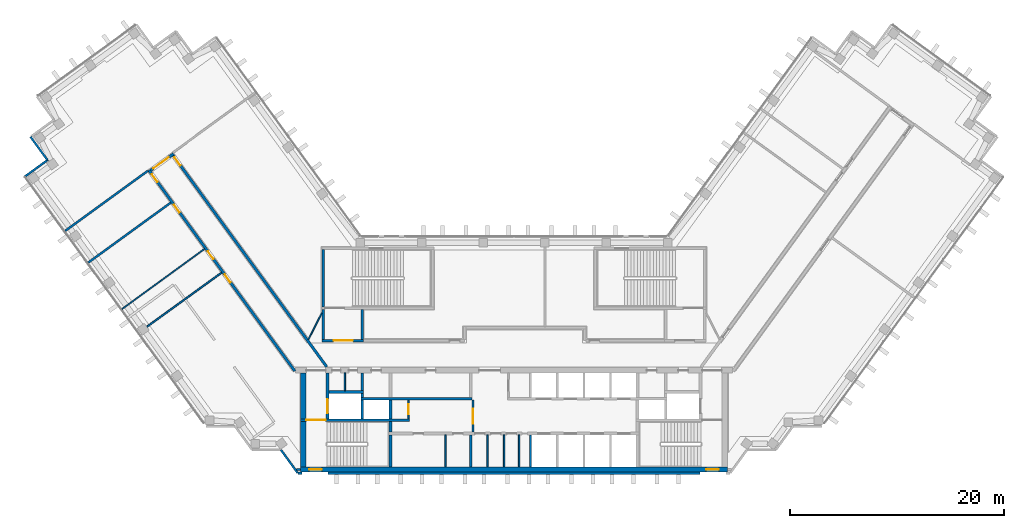
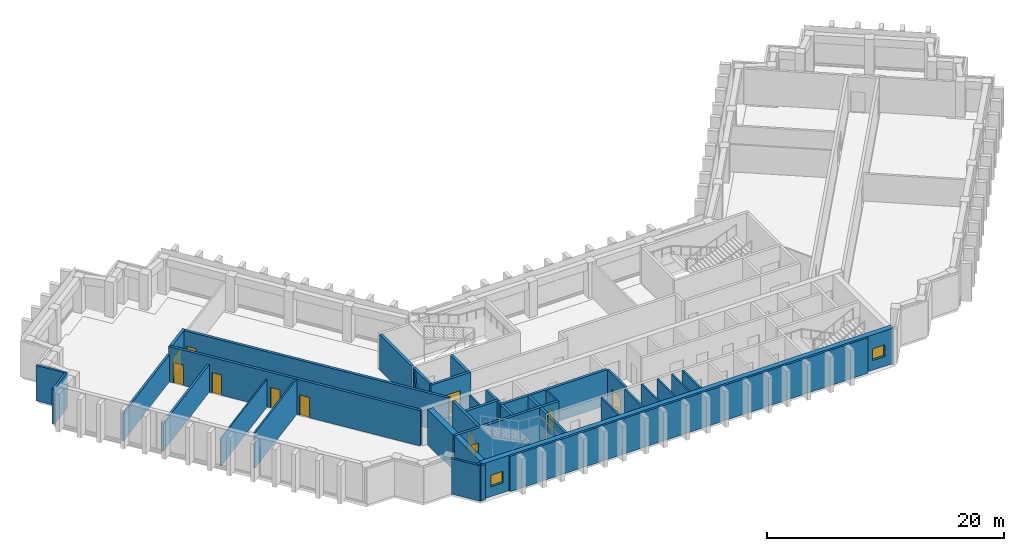
# One storey, part 4 of 10: 40 walls, 11 doors, 2 windows, 13 openings.
"""IFC4 building model written with IfcOpenShell, lengths in metres."""

from ifc_helpers import new_model, si_unit, direction, frame, frame_2d, origin, place, context, subcontext, project, spatial, rectangle, extrude, material, layer, layer_set, type_object, element, fill, save


model = new_model("IFC4")

# Units and contexts
model_context = context("Model", 3, precision=1e-05, world=origin(), true_north=direction((0.0, 1.0)))
body_context = subcontext(model_context, "Body", "Model", "MODEL_VIEW")
ifc_project = project(units=[si_unit("LENGTHUNIT", "METRE"), si_unit("AREAUNIT", "SQUARE_METRE"), si_unit("VOLUMEUNIT", "CUBIC_METRE"), si_unit("PLANEANGLEUNIT", "RADIAN"), si_unit("MASSUNIT", "GRAM", prefix="KILO")], contexts=[model_context])

# Site, building, storey
site_placement = place(None, origin())
site = spatial("IfcSite", under=ifc_project, at=site_placement, CompositionType="ELEMENT")
building_placement = place(site_placement, origin())
building = spatial("IfcBuilding", under=site, at=building_placement, Name="Quipu Civic Tower", CompositionType="ELEMENT")
storey_placement = place(building_placement, frame((0.0, 0.0, 168.0)))
storey = spatial("IfcBuildingStorey", under=building, at=storey_placement, Name="L39", CompositionType="ELEMENT", Elevation=168.0)

# Walls
ifc_material_1 = material(Name="Double gypsum plasterboard with mineral wool")
ifc_layer_1 = layer(ifc_material_1, 0.14990234375)
ifc_layer_set_1 = layer_set([ifc_layer_1], Name="Double gypsum plasterboard with mineral wool")
wall_type_1 = type_object("IfcWallType", Name="Acoustic partition 150 plasterboard", PredefinedType="PARTITIONING", material=ifc_layer_set_1)
wall_1_placement = place(storey_placement, frame((-27.38916015625, 7.702880859375, 0.0), z_axis=(0.0, 0.0, 1.0), x_axis=(-0.809060825193, -0.587724919617, 0.0)))
element("IfcWall", 1, at=wall_1_placement, inside=storey, type_object=wall_type_1, Name="Partition P10", PredefinedType="PARTITIONING", context=body_context, shape_type="SweptSolid", body=[
    extrude(rectangle(XDim=8.64453125, YDim=0.14990234375, at=frame_2d((4.322265625, 0.0))), origin(), (0.0, 0.0, 1.0), 3.64990234375),
])
ifc_material_2 = material(Name="Fired clay blockwork", Category="masonry")
ifc_layer_2 = layer(ifc_material_2, 0.199951171875)
ifc_layer_set_2 = layer_set([ifc_layer_2], Name="Fired clay blockwork")
wall_type_2 = type_object("IfcWallType", Name="Blockwork wall 200", PredefinedType="SOLIDWALL", material=ifc_layer_set_2)
wall_2_placement = place(storey_placement, frame((-42.035888671875, 11.615478515625, 0.0), z_axis=(0.0, 0.0, 1.0), x_axis=(0.808985331811, 0.587828829605, 0.0)))
element("IfcWall", 2, at=wall_2_placement, inside=storey, type_object=wall_type_2, Name="Partition P02", PredefinedType="SOLIDWALL", context=body_context, shape_type="SweptSolid", body=[
    extrude(rectangle(XDim=9.56982421875, YDim=0.199951171875, at=frame_2d((4.784912109375, 0.0))), origin(), (0.0, 0.0, 1.0), 2.85009765625),
])
wall_3_placement = place(storey_placement, frame((-32.150146484375, 14.255859375, 0.0), z_axis=(0.0, 0.0, 1.0), x_axis=(-0.809064299351, -0.587720137068, 0.0)))
element("IfcWall", 3, at=wall_3_placement, inside=storey, type_object=wall_type_2, Name="Partition P04", PredefinedType="SOLIDWALL", context=body_context, shape_type="SweptSolid", body=[
    extrude(rectangle(XDim=9.5498046875, YDim=0.199951171875, at=frame_2d((4.77490234375, 0.0))), origin(), (0.0, 0.0, 1.0), 2.85009765625),
])
ifc_material_3 = material(Name="Concrete C70/85", Category="concrete")
ifc_layer_3 = layer(ifc_material_3, 0.25)
ifc_layer_set_3 = layer_set([ifc_layer_3], Name="Concrete C70/85")
wall_type_3 = type_object("IfcWallType", Name="Core wall 250", PredefinedType="SHEAR", material=ifc_layer_set_3)
wall_4_placement = place(storey_placement, frame((-11.574951171875, -10.5, 0.0), z_axis=(0.0, 0.0, 1.0), x_axis=(0.0, 1.0, 0.0)))
element("IfcWall", 4, at=wall_4_placement, inside=storey, type_object=wall_type_3, Name="Core wall", PredefinedType="SHEAR", context=body_context, shape_type="SweptSolid", body=[
    extrude(rectangle(XDim=3.0, YDim=0.25, at=frame_2d((1.5, 0.0))), origin(), (0.0, 0.0, 1.0), 3.64990234375),
])
wall_5_placement = place(storey_placement, frame((-11.574951171875, -7.25, 0.0), z_axis=(0.0, 0.0, 1.0), x_axis=(0.0, 1.0, 0.0)))
element("IfcWall", 5, at=wall_5_placement, inside=storey, type_object=wall_type_3, Name="Core wall", PredefinedType="SHEAR", context=body_context, shape_type="SweptSolid", body=[
    extrude(rectangle(XDim=1.0, YDim=0.25, at=frame_2d((0.5, 0.0))), origin(), (0.0, 0.0, 1.0), 3.64990234375),
])

# Wall, opening, door
wall_6_placement = place(storey_placement, frame((-9.800048828125, -6.125, 0.0), z_axis=(0.0, 0.0, 1.0), x_axis=(-1.0, 0.0, 0.0)))
wall_6 = element("IfcWall", 6, at=wall_6_placement, inside=storey, type_object=wall_type_3, Name="Core wall", PredefinedType="SHEAR", context=body_context, shape_type="SweptSolid", body=[
    extrude(rectangle(XDim=10.199951171875, YDim=0.25, at=frame_2d((5.10009765625, 0.0))), origin(), (0.0, 0.0, 1.0), 3.64990234375),
])
opening_1_placement = place(wall_6_placement, frame((7.85009765625, 0.0, 0.0)))
opening_1 = element("IfcOpeningElement", 7, at=opening_1_placement, cuts=wall_6, Name="Opening CD-07", PredefinedType="OPENING", context=body_context, shape_type="SweptSolid", body=[
    extrude(rectangle(XDim=1.800048828125, YDim=2.10009765625, at=frame_2d((0.89990234375, 1.050048828125))), frame((0.0, 0.135009765625, 0.0), z_axis=(0.0, -1.0, 0.0), x_axis=(1.0, 0.0, 0.0)), (0.0, 0.0, 1.0), 0.27001953125),
])
ifc_material_4 = material(Name="Fire rated steel door", Category="steel")
door_type_1 = type_object("IfcDoorType", Name="Fire door FD90 double 1800 x 2100", OperationType="NOTDEFINED", PredefinedType="DOOR", material=ifc_material_4)
door_1_placement = place(opening_1_placement, origin())
door_1 = element("IfcDoor", 8, at=door_1_placement, inside=storey, type_object=door_type_1, Name="Door", OperationType="DOUBLE_DOOR_SINGLE_SWING", OverallHeight=2.10009765625, OverallWidth=1.800048828125, PredefinedType="DOOR", context=body_context, shape_type="SweptSolid", body=[
    extrude(rectangle(XDim=1.800048828125, YDim=2.10009765625, at=frame_2d((0.89990234375, 1.050048828125))), frame((0.0, 0.02490234375, 0.0), z_axis=(0.0, -1.0, 0.0), x_axis=(1.0, 0.0, 0.0)), (0.0, 0.0, 1.0), 0.050048828125),
])
fill(opening_1, door_1)

wall_7_placement = place(storey_placement, frame((-17.47509765625, -6.0, 0.0), z_axis=(0.0, 0.0, 1.0), x_axis=(0.0, 1.0, 0.0)))
wall_7 = element("IfcWall", 9, at=wall_7_placement, inside=storey, type_object=wall_type_3, Name="Core wall", PredefinedType="SHEAR", context=body_context, shape_type="SweptSolid", body=[
    extrude(rectangle(XDim=4.300048828125, YDim=0.25, at=frame_2d((2.14990234375, 0.0))), origin(), (0.0, 0.0, 1.0), 3.64990234375),
])
opening_2_placement = place(wall_7_placement, frame((0.550048828125, 0.0, 0.0)))
opening_2 = element("IfcOpeningElement", 10, at=opening_2_placement, cuts=wall_7, Name="Opening LD-FF1", PredefinedType="OPENING", context=body_context, shape_type="SweptSolid", body=[
    extrude(rectangle(XDim=1.300048828125, YDim=2.10009765625, at=frame_2d((0.64990234375, 1.050048828125))), frame((0.0, 0.135009765625, 0.0), z_axis=(0.0, -1.0, 0.0), x_axis=(1.0, 0.0, 0.0)), (0.0, 0.0, 1.0), 0.27001953125),
])
ifc_material_5 = material(Name="Stainless steel", Category="steel")
door_type_2 = type_object("IfcDoorType", Name="Lift landing door 1300 x 2100", OperationType="DOUBLE_DOOR_SLIDING", PredefinedType="DOOR", material=ifc_material_5)
door_2_placement = place(opening_2_placement, origin())
door_2 = element("IfcDoor", 11, at=door_2_placement, inside=storey, type_object=door_type_2, Name="Landing door FF1", OperationType="DOUBLE_DOOR_SLIDING", OverallHeight=2.10009765625, OverallWidth=1.300048828125, PredefinedType="DOOR", context=body_context, shape_type="SweptSolid", body=[
    extrude(rectangle(XDim=1.300048828125, YDim=2.10009765625, at=frame_2d((0.64990234375, 1.050048828125))), frame((0.0, 0.02490234375, 0.0), z_axis=(0.0, -1.0, 0.0), x_axis=(1.0, 0.0, 0.0)), (0.0, 0.0, 1.0), 0.050048828125),
])
fill(opening_2, door_2)

# Walls
for number, where, z_axis, x_axis, name in (
    (12, (-14.22509765625, -6.0, 0.0), (0.0, 0.0, 1.0), (0.0, 1.0, 0.0), "Core wall"),
    (13, (-11.574951171875, -6.0, 0.0), (0.0, 0.0, 1.0), (0.0, 1.0, 0.0), "Core wall"),
):
    element("IfcWall", number, at=place(storey_placement, frame(where, z_axis=z_axis, x_axis=x_axis)), inside=storey, type_object=wall_type_3, Name=name, PredefinedType="SHEAR", context=body_context, shape_type="SweptSolid", body=[
        extrude(rectangle(XDim=1.75, YDim=0.25, at=frame_2d((0.875, 0.0))), origin(), (0.0, 0.0, 1.0), 3.64990234375),
    ])
wall_8_placement = place(storey_placement, frame((-14.35009765625, -4.125, 0.0), z_axis=(0.0, 0.0, 1.0), x_axis=(1.0, 0.0, 0.0)))
element("IfcWall", 14, at=wall_8_placement, inside=storey, type_object=wall_type_3, Name="Core wall", PredefinedType="SHEAR", context=body_context, shape_type="SweptSolid", body=[
    extrude(rectangle(XDim=10.400146484375, YDim=0.25, at=frame_2d((5.2001953125, 0.0))), origin(), (0.0, 0.0, 1.0), 3.64990234375),
])
wall_9_placement = place(storey_placement, frame((-14.22509765625, -4.0, 0.0), z_axis=(0.0, 0.0, 1.0), x_axis=(0.0, 1.0, 0.0)))
element("IfcWall", 15, at=wall_9_placement, inside=storey, type_object=wall_type_3, Name="Core wall", PredefinedType="SHEAR", context=body_context, shape_type="SweptSolid", body=[
    extrude(rectangle(XDim=0.39990234375, YDim=0.25, at=frame_2d((0.199951171875, 0.0))), origin(), (0.0, 0.0, 1.0), 3.64990234375),
])
wall_10_placement = place(storey_placement, frame((-17.35009765625, -3.47509765625, 0.0), z_axis=(0.0, 0.0, 1.0), x_axis=(1.0, 0.0, 0.0)))
element("IfcWall", 16, at=wall_10_placement, inside=storey, type_object=wall_type_3, Name="Core wall", PredefinedType="SHEAR", context=body_context, shape_type="SweptSolid", body=[
    extrude(rectangle(XDim=3.25, YDim=0.25, at=frame_2d((1.625, 0.0))), origin(), (0.0, 0.0, 1.0), 3.64990234375),
])
wall_11_placement = place(storey_placement, frame((-14.22509765625, -3.35009765625, 0.0), z_axis=(0.0, 0.0, 1.0), x_axis=(0.0, 1.0, 0.0)))
element("IfcWall", 17, at=wall_11_placement, inside=storey, type_object=wall_type_3, Name="Core wall", PredefinedType="SHEAR", context=body_context, shape_type="SweptSolid", body=[
    extrude(rectangle(XDim=1.650146484375, YDim=0.25, at=frame_2d((0.8251953125, 0.0))), origin(), (0.0, 0.0, 1.0), 3.64990234375),
])

# Wall, opening, door
wall_12_placement = place(storey_placement, frame((-18.0, 1.324951171875, 0.0), z_axis=(0.0, 0.0, 1.0), x_axis=(1.0, 0.0, 0.0)))
wall_12 = element("IfcWall", 18, at=wall_12_placement, inside=storey, type_object=wall_type_3, Name="Core wall", PredefinedType="SHEAR", context=body_context, shape_type="SweptSolid", body=[
    extrude(rectangle(XDim=3.89990234375, YDim=0.25, at=frame_2d((1.949951171875, 0.0))), origin(), (0.0, 0.0, 1.0), 3.64990234375),
])
opening_3_placement = place(wall_12_placement, frame((1.10009765625, 0.0, 0.0)))
opening_3 = element("IfcOpeningElement", 19, at=opening_3_placement, cuts=wall_12, Name="Opening CD-21", PredefinedType="OPENING", context=body_context, shape_type="SweptSolid", body=[
    extrude(rectangle(XDim=1.800048828125, YDim=2.10009765625, at=frame_2d((0.89990234375, 1.050048828125))), frame((0.0, 0.135009765625, 0.0), z_axis=(0.0, -1.0, 0.0), x_axis=(1.0, 0.0, 0.0)), (0.0, 0.0, 1.0), 0.27001953125),
])
door_3_placement = place(opening_3_placement, origin())
door_3 = element("IfcDoor", 20, at=door_3_placement, inside=storey, type_object=door_type_1, Name="Lobby door", OperationType="DOUBLE_DOOR_SINGLE_SWING", OverallHeight=2.10009765625, OverallWidth=1.800048828125, PredefinedType="DOOR", context=body_context, shape_type="SweptSolid", body=[
    extrude(rectangle(XDim=1.800048828125, YDim=2.10009765625, at=frame_2d((0.89990234375, 1.050048828125))), frame((0.0, 0.02490234375, 0.0), z_axis=(0.0, -1.0, 0.0), x_axis=(1.0, 0.0, 0.0)), (0.0, 0.0, 1.0), 0.050048828125),
])
fill(opening_3, door_3)

# Walls
for number, where, z_axis, x_axis, name in (
    (21, (-17.875, 1.449951171875, 0.0), (0.0, 0.0, 1.0), (0.0, 1.0, 0.0), "Core wall"),
    (22, (-14.22509765625, 1.449951171875, 0.0), (0.0, 0.0, 1.0), (0.0, 1.0, 0.0), "Core wall"),
):
    element("IfcWall", number, at=place(storey_placement, frame(where, z_axis=z_axis, x_axis=x_axis)), inside=storey, type_object=wall_type_3, Name=name, PredefinedType="SHEAR", context=body_context, shape_type="SweptSolid", body=[
        extrude(rectangle(XDim=2.800048828125, YDim=0.25, at=frame_2d((1.39990234375, 0.0))), origin(), (0.0, 0.0, 1.0), 3.64990234375),
    ])
wall_13_placement = place(storey_placement, frame((-17.875, 4.5, 0.0), z_axis=(0.0, 0.0, 1.0), x_axis=(0.0, 1.0, 0.0)))
element("IfcWall", 23, at=wall_13_placement, inside=storey, type_object=wall_type_3, Name="Core wall", PredefinedType="SHEAR", context=body_context, shape_type="SweptSolid", body=[
    extrude(rectangle(XDim=5.35009765625, YDim=0.25, at=frame_2d((2.675048828125, 0.0))), origin(), (0.0, 0.0, 1.0), 3.64990234375),
])

# Wall, openings, windows
ifc_material_6 = material(Name="Concrete C70/85", Category="concrete")
ifc_layer_4 = layer(ifc_material_6, 0.5)
ifc_layer_set_4 = layer_set([ifc_layer_4], Name="Concrete C70/85")
wall_type_4 = type_object("IfcWallType", Name="Core wall 500", PredefinedType="SHEAR", material=ifc_layer_set_4)
wall_14_placement = place(storey_placement, frame((-20.0, -10.75, 0.0), z_axis=(0.0, 0.0, 1.0), x_axis=(1.0, 0.0, 0.0)))
wall_14 = element("IfcWall", 24, at=wall_14_placement, inside=storey, type_object=wall_type_4, Name="Core wall", PredefinedType="SHEAR", context=body_context, shape_type="SweptSolid", body=[
    extrude(rectangle(XDim=40.0, YDim=0.5, at=frame_2d((20.0, 0.0))), origin(), (0.0, 0.0, 1.0), 3.64990234375),
])
opening_4_placement = place(wall_14_placement, frame((0.800048828125, 0.0, 1.0)))
opening_4 = element("IfcOpeningElement", 25, at=opening_4_placement, cuts=wall_14, Name="Opening SV-1", PredefinedType="OPENING", context=body_context, shape_type="SweptSolid", body=[
    extrude(rectangle(XDim=1.199951171875, YDim=1.199951171875, at=frame_2d((0.60009765625, 0.60009765625))), frame((0.0, 0.260009765625, 0.0), z_axis=(0.0, -1.0, 0.0), x_axis=(1.0, 0.0, 0.0)), (0.0, 0.0, 1.0), 0.52001953125),
])
opening_5_placement = place(wall_14_placement, frame((38.0, 0.0, 1.0)))
opening_5 = element("IfcOpeningElement", 26, at=opening_5_placement, cuts=wall_14, Name="Opening SV-2", PredefinedType="OPENING", context=body_context, shape_type="SweptSolid", body=[
    extrude(rectangle(XDim=1.199951171875, YDim=1.199951171875, at=frame_2d((0.60009765625, 0.60009765625))), frame((0.0, 0.260009765625, 0.0), z_axis=(0.0, -1.0, 0.0), x_axis=(1.0, 0.0, 0.0)), (0.0, 0.0, 1.0), 0.52001953125),
])
ifc_material_7 = material(Name="Aluminium louvre", Category="aluminium")
window_type = type_object("IfcWindowType", Name="Stair ventilation louvre 1200 x 1200", PartitioningType="SINGLE_PANEL", PredefinedType="WINDOW", material=ifc_material_7)
window_1_placement = place(opening_4_placement, origin())
window_1 = element("IfcWindow", 27, at=window_1_placement, inside=storey, type_object=window_type, Name="Stair ventilation opening", OverallHeight=1.199951171875, OverallWidth=1.199951171875, PartitioningType="SINGLE_PANEL", PredefinedType="WINDOW", context=body_context, shape_type="SweptSolid", body=[
    extrude(rectangle(XDim=1.199951171875, YDim=1.199951171875, at=frame_2d((0.60009765625, 0.60009765625))), frame((0.0, 0.030029296875, 0.0), z_axis=(0.0, -1.0, 0.0), x_axis=(1.0, 0.0, 0.0)), (0.0, 0.0, 1.0), 0.06005859375),
])
fill(opening_4, window_1)
window_2_placement = place(opening_5_placement, origin())
window_2 = element("IfcWindow", 28, at=window_2_placement, inside=storey, type_object=window_type, Name="Stair ventilation opening", OverallHeight=1.199951171875, OverallWidth=1.199951171875, PartitioningType="SINGLE_PANEL", PredefinedType="WINDOW", context=body_context, shape_type="SweptSolid", body=[
    extrude(rectangle(XDim=1.199951171875, YDim=1.199951171875, at=frame_2d((0.60009765625, 0.60009765625))), frame((0.0, 0.030029296875, 0.0), z_axis=(0.0, -1.0, 0.0), x_axis=(1.0, 0.0, 0.0)), (0.0, 0.0, 1.0), 0.06005859375),
])
fill(opening_5, window_2)

# Walls
wall_15_placement = place(storey_placement, frame((-19.75, -10.5, 0.0), z_axis=(0.0, 0.0, 1.0), x_axis=(0.0, 1.0, 0.0)))
element("IfcWall", 29, at=wall_15_placement, inside=storey, type_object=wall_type_4, Name="Core wall", PredefinedType="SHEAR", context=body_context, shape_type="SweptSolid", body=[
    extrude(rectangle(XDim=4.25, YDim=0.5, at=frame_2d((2.125, 0.0))), origin(), (0.0, 0.0, 1.0), 3.64990234375),
])
wall_16_placement = place(storey_placement, frame((-19.75, -6.0, 0.0), z_axis=(0.0, 0.0, 1.0), x_axis=(0.0, 1.0, 0.0)))
element("IfcWall", 30, at=wall_16_placement, inside=storey, type_object=wall_type_4, Name="Core wall", PredefinedType="SHEAR", context=body_context, shape_type="SweptSolid", body=[
    extrude(rectangle(XDim=4.300048828125, YDim=0.5, at=frame_2d((2.14990234375, 0.0))), origin(), (0.0, 0.0, 1.0), 3.64990234375),
])

# Wall, openings, doors
ifc_material_8 = material(Name="Concrete C50/60", Category="concrete")
ifc_layer_5 = layer(ifc_material_8, 0.25)
ifc_layer_set_5 = layer_set([ifc_layer_5], Name="Concrete C50/60")
wall_type_5 = type_object("IfcWallType", Name="Corridor wall 250 concrete", PredefinedType="SOLIDWALL", material=ifc_layer_set_5)
wall_17_placement = place(storey_placement, frame((-20.531005859375, -1.5234375, 0.0), z_axis=(0.0, 0.0, 1.0), x_axis=(-0.587784239999, 0.809017729849, 0.0)))
wall_17 = element("IfcWall", 31, at=wall_17_placement, inside=storey, type_object=wall_type_5, Name="Corridor wall C04", PredefinedType="SOLIDWALL", context=body_context, shape_type="SweptSolid", body=[
    extrude(rectangle(XDim=23.2705078125, YDim=0.25, at=frame_2d((11.63525390625, 0.0))), origin(), (0.0, 0.0, 1.0), 3.64990234375),
])
opening_6_placement = place(wall_17_placement, frame((18.36572265625, 0.0, 0.0)))
opening_6 = element("IfcOpeningElement", 32, at=opening_6_placement, cuts=wall_17, Name="Opening D011", PredefinedType="OPENING", context=body_context, shape_type="SweptSolid", body=[
    extrude(rectangle(XDim=0.89990234375, YDim=2.10009765625, at=frame_2d((0.449951171875, 1.050048828125))), frame((0.0, 0.135009765625, 0.0), z_axis=(0.0, -1.0, 0.0), x_axis=(1.0, 0.0, 0.0)), (0.0, 0.0, 1.0), 0.27001953125),
])
opening_7_placement = place(wall_17_placement, frame((10.265869140625, 0.0, 0.0)))
opening_7 = element("IfcOpeningElement", 33, at=opening_7_placement, cuts=wall_17, Name="Opening D013", PredefinedType="OPENING", context=body_context, shape_type="SweptSolid", body=[
    extrude(rectangle(XDim=0.89990234375, YDim=2.10009765625, at=frame_2d((0.449951171875, 1.050048828125))), frame((0.0, 0.135009765625, 0.0), z_axis=(0.0, -1.0, 0.0), x_axis=(1.0, 0.0, 0.0)), (0.0, 0.0, 1.0), 0.27001953125),
])
opening_8_placement = place(wall_17_placement, frame((21.89599609375, 0.0, 0.0)))
opening_8 = element("IfcOpeningElement", 34, at=opening_8_placement, cuts=wall_17, Name="Opening D010", PredefinedType="OPENING", context=body_context, shape_type="SweptSolid", body=[
    extrude(rectangle(XDim=0.89990234375, YDim=2.10009765625, at=frame_2d((0.449951171875, 1.050048828125))), frame((0.0, 0.135009765625, 0.0), z_axis=(0.0, -1.0, 0.0), x_axis=(1.0, 0.0, 0.0)), (0.0, 0.0, 1.0), 0.27001953125),
])
opening_9_placement = place(wall_17_placement, frame((12.96630859375, 0.0, 0.0)))
opening_9 = element("IfcOpeningElement", 35, at=opening_9_placement, cuts=wall_17, Name="Opening D012", PredefinedType="OPENING", context=body_context, shape_type="SweptSolid", body=[
    extrude(rectangle(XDim=0.89990234375, YDim=2.10009765625, at=frame_2d((0.449951171875, 1.050048828125))), frame((0.0, 0.135009765625, 0.0), z_axis=(0.0, -1.0, 0.0), x_axis=(1.0, 0.0, 0.0)), (0.0, 0.0, 1.0), 0.27001953125),
])
ifc_material_9 = material(Name="Fire rated timber door set with metal frame", Category="wood")
door_type_3 = type_object("IfcDoorType", Name="Single door 900 x 2100 FD60", OperationType="NOTDEFINED", PredefinedType="DOOR", material=ifc_material_9)
door_4_placement = place(opening_6_placement, origin())
door_4 = element("IfcDoor", 36, at=door_4_placement, inside=storey, type_object=door_type_3, Name="Door D011", OperationType="SINGLE_SWING_RIGHT", OverallHeight=2.10009765625, OverallWidth=0.89990234375, PredefinedType="DOOR", context=body_context, shape_type="SweptSolid", body=[
    extrude(rectangle(XDim=0.89990234375, YDim=2.10009765625, at=frame_2d((0.449951171875, 1.050048828125))), frame((0.0, 0.02490234375, 0.0), z_axis=(0.0, -1.0, 0.0), x_axis=(1.0, 0.0, 0.0)), (0.0, 0.0, 1.0), 0.050048828125),
])
fill(opening_6, door_4)
door_5_placement = place(opening_7_placement, origin())
door_5 = element("IfcDoor", 37, at=door_5_placement, inside=storey, type_object=door_type_3, Name="Door D013", OperationType="SINGLE_SWING_RIGHT", OverallHeight=2.10009765625, OverallWidth=0.89990234375, PredefinedType="DOOR", context=body_context, shape_type="SweptSolid", body=[
    extrude(rectangle(XDim=0.89990234375, YDim=2.10009765625, at=frame_2d((0.449951171875, 1.050048828125))), frame((0.0, 0.02490234375, 0.0), z_axis=(0.0, -1.0, 0.0), x_axis=(1.0, 0.0, 0.0)), (0.0, 0.0, 1.0), 0.050048828125),
])
fill(opening_7, door_5)
door_6_placement = place(opening_8_placement, origin())
door_6 = element("IfcDoor", 38, at=door_6_placement, inside=storey, type_object=door_type_3, Name="Door D010", OperationType="SINGLE_SWING_RIGHT", OverallHeight=2.10009765625, OverallWidth=0.89990234375, PredefinedType="DOOR", context=body_context, shape_type="SweptSolid", body=[
    extrude(rectangle(XDim=0.89990234375, YDim=2.10009765625, at=frame_2d((0.449951171875, 1.050048828125))), frame((0.0, 0.02490234375, 0.0), z_axis=(0.0, -1.0, 0.0), x_axis=(1.0, 0.0, 0.0)), (0.0, 0.0, 1.0), 0.050048828125),
])
fill(opening_8, door_6)
door_7_placement = place(opening_9_placement, origin())
door_7 = element("IfcDoor", 39, at=door_7_placement, inside=storey, type_object=door_type_3, Name="Door D012", OperationType="SINGLE_SWING_RIGHT", OverallHeight=2.10009765625, OverallWidth=0.89990234375, PredefinedType="DOOR", context=body_context, shape_type="SweptSolid", body=[
    extrude(rectangle(XDim=0.89990234375, YDim=2.10009765625, at=frame_2d((0.449951171875, 1.050048828125))), frame((0.0, 0.02490234375, 0.0), z_axis=(0.0, -1.0, 0.0), x_axis=(1.0, 0.0, 0.0)), (0.0, 0.0, 1.0), 0.050048828125),
])
fill(opening_9, door_7)

# Wall, opening, door
wall_18_placement = place(storey_placement, frame((-34.0341796875, 17.275146484375, 0.0), z_axis=(0.0, 0.0, 1.0), x_axis=(0.809006914995, 0.587799125119, 0.0)))
wall_18 = element("IfcWall", 40, at=wall_18_placement, inside=storey, type_object=wall_type_5, Name="Corridor wall C05", PredefinedType="SOLIDWALL", context=body_context, shape_type="SweptSolid", body=[
    extrude(rectangle(XDim=2.64990234375, YDim=0.25, at=frame_2d((1.324951171875, 0.0))), origin(), (0.0, 0.0, 1.0), 3.64990234375),
])
opening_10_placement = place(wall_18_placement, frame((0.30029296875, 0.0, 0.0)))
opening_10 = element("IfcOpeningElement", 41, at=opening_10_placement, cuts=wall_18, Name="Opening D014", PredefinedType="OPENING", context=body_context, shape_type="SweptSolid", body=[
    extrude(rectangle(XDim=1.800048828125, YDim=2.10009765625, at=frame_2d((0.89990234375, 1.050048828125))), frame((0.0, 0.135009765625, 0.0), z_axis=(0.0, -1.0, 0.0), x_axis=(1.0, 0.0, 0.0)), (0.0, 0.0, 1.0), 0.27001953125),
])
ifc_material_10 = material(Name="Fire rated timber door set with metal frame", Category="wood")
door_type_4 = type_object("IfcDoorType", Name="Double door 1800 x 2100 FD60", OperationType="DOUBLE_DOOR_SINGLE_SWING", PredefinedType="DOOR", material=ifc_material_10)
door_8_placement = place(opening_10_placement, origin())
door_8 = element("IfcDoor", 42, at=door_8_placement, inside=storey, type_object=door_type_4, Name="Door D014", OperationType="DOUBLE_DOOR_SINGLE_SWING", OverallHeight=2.10009765625, OverallWidth=1.800048828125, PredefinedType="DOOR", context=body_context, shape_type="SweptSolid", body=[
    extrude(rectangle(XDim=1.800048828125, YDim=2.10009765625, at=frame_2d((0.89990234375, 1.050048828125))), frame((0.0, 0.02490234375, 0.0), z_axis=(0.0, -1.0, 0.0), x_axis=(1.0, 0.0, 0.0)), (0.0, 0.0, 1.0), 0.050048828125),
])
fill(opening_10, door_8)

wall_19_placement = place(storey_placement, frame((-31.918212890625, 18.658203125, 0.0), z_axis=(0.0, 0.0, 1.0), x_axis=(0.587788731405, -0.80901446664, 0.0)))
wall_19 = element("IfcWall", 43, at=wall_19_placement, inside=storey, type_object=wall_type_5, Name="Corridor wall C06", PredefinedType="SOLIDWALL", context=body_context, shape_type="SweptSolid", body=[
    extrude(rectangle(XDim=24.453125, YDim=0.25, at=frame_2d((12.2265625, 0.0))), origin(), (0.0, 0.0, 1.0), 3.64990234375),
])
opening_11_placement = place(wall_19_placement, frame((0.22412109375, 0.0, 0.0)))
opening_11 = element("IfcOpeningElement", 44, at=opening_11_placement, cuts=wall_19, Name="Opening D009", PredefinedType="OPENING", context=body_context, shape_type="SweptSolid", body=[
    extrude(rectangle(XDim=0.89990234375, YDim=2.10009765625, at=frame_2d((0.449951171875, 1.050048828125))), frame((0.0, 0.135009765625, 0.0), z_axis=(0.0, -1.0, 0.0), x_axis=(1.0, 0.0, 0.0)), (0.0, 0.0, 1.0), 0.27001953125),
])
door_9_placement = place(opening_11_placement, origin())
door_9 = element("IfcDoor", 45, at=door_9_placement, inside=storey, type_object=door_type_3, Name="Door D009", OperationType="SINGLE_SWING_LEFT", OverallHeight=2.10009765625, OverallWidth=0.89990234375, PredefinedType="DOOR", context=body_context, shape_type="SweptSolid", body=[
    extrude(rectangle(XDim=0.89990234375, YDim=2.10009765625, at=frame_2d((0.449951171875, 1.050048828125))), frame((0.0, 0.02490234375, 0.0), z_axis=(0.0, -1.0, 0.0), x_axis=(1.0, 0.0, 0.0)), (0.0, 0.0, 1.0), 0.050048828125),
])
fill(opening_11, door_9)

# Walls
ifc_material_11 = material(Name="Gypsum plasterboard on light gauge framing")
ifc_layer_6 = layer(ifc_material_11, 0.1201171875)
ifc_layer_set_6 = layer_set([ifc_layer_6], Name="Gypsum plasterboard on light gauge framing")
wall_type_6 = type_object("IfcWallType", Name="Partition 120 plasterboard", PredefinedType="PARTITIONING", material=ifc_layer_set_6)
wall_20_placement = place(storey_placement, frame((-36.71240234375, 4.288330078125, 0.0), z_axis=(0.0, 0.0, 1.0), x_axis=(0.807606997933, 0.589721067023, 0.0)))
element("IfcWall", 46, at=wall_20_placement, inside=storey, type_object=wall_type_6, Name="Partition P05", PredefinedType="PARTITIONING", context=body_context, shape_type="SweptSolid", body=[
    extrude(rectangle(XDim=9.550048828125, YDim=0.1201171875, at=frame_2d((4.77490234375, 0.0))), origin(), (0.0, 0.0, 1.0), 2.85009765625),
])
wall_21_placement = place(storey_placement, frame((-19.260986328125, 1.449951171875, 0.0), z_axis=(0.0, 0.0, 1.0), x_axis=(0.453950796792, 0.891026752736, 0.0)))
element("IfcWall", 47, at=wall_21_placement, inside=storey, type_object=wall_type_6, Name="Partition P13", PredefinedType="PARTITIONING", context=body_context, shape_type="SweptSolid", body=[
    extrude(rectangle(XDim=2.77783203125, YDim=0.1201171875, at=frame_2d((1.388916015625, 0.0))), origin(), (0.0, 0.0, 1.0), 3.64990234375),
])
ifc_material_12 = material(Name="Gypsum board partition")
ifc_layer_7 = layer(ifc_material_12, 0.14990234375)
ifc_layer_set_7 = layer_set([ifc_layer_7], Name="Gypsum board partition")
wall_type_7 = type_object("IfcWallType", Name="Partition 150", PredefinedType="PARTITIONING", material=ifc_layer_set_7)
for number, where, z_axis, x_axis, name in (
    (48, (-6.39990234375, -10.5, 0.0), (0.0, 0.0, 1.0), (0.0, 1.0, 0.0), "Partition"),
    (49, (-2.47509765625, -10.5, 0.0), (0.0, 0.0, 1.0), (0.0, 1.0, 0.0), "Partition"),
    (50, (-0.925048828125, -10.5, 0.0), (0.0, 0.0, 1.0), (0.0, 1.0, 0.0), "Partition"),
    (51, (0.47509765625, -10.5, 0.0), (0.0, 0.0, 1.0), (0.0, 1.0, 0.0), "Partition"),
):
    element("IfcWall", number, at=place(storey_placement, frame(where, z_axis=z_axis, x_axis=x_axis)), inside=storey, type_object=wall_type_7, Name=name, PredefinedType="PARTITIONING", context=body_context, shape_type="SweptSolid", body=[
        extrude(rectangle(XDim=3.0, YDim=0.14990234375, at=frame_2d((1.5, 0.0))), origin(), (0.0, 0.0, 1.0), 3.64990234375),
    ])

# Wall, opening, door
wall_22_placement = place(storey_placement, frame((-9.875, -4.25, 0.0), z_axis=(0.0, 0.0, 1.0), x_axis=(0.0, -1.0, 0.0)))
wall_22 = element("IfcWall", 52, at=wall_22_placement, inside=storey, type_object=wall_type_7, Name="Partition", PredefinedType="PARTITIONING", context=body_context, shape_type="SweptSolid", body=[
    extrude(rectangle(XDim=1.75, YDim=0.14990234375, at=frame_2d((0.875, 0.0))), origin(), (0.0, 0.0, 1.0), 3.64990234375),
])
opening_12_placement = place(wall_22_placement, frame((0.39990234375, 0.0, 0.0)))
opening_12 = element("IfcOpeningElement", 53, at=opening_12_placement, cuts=wall_22, Name="Opening CD-10", PredefinedType="OPENING", context=body_context, shape_type="SweptSolid", body=[
    extrude(rectangle(XDim=0.89990234375, YDim=2.10009765625, at=frame_2d((0.449951171875, 1.050048828125))), frame((0.0, 0.0849609375, 0.0), z_axis=(0.0, -1.0, 0.0), x_axis=(1.0, 0.0, 0.0)), (0.0, 0.0, 1.0), 0.169921875),
])
ifc_material_13 = material(Name="Fire rated steel door", Category="steel")
door_type_5 = type_object("IfcDoorType", Name="Fire door FD60 900 x 2100", OperationType="NOTDEFINED", PredefinedType="DOOR", material=ifc_material_13)
door_10_placement = place(opening_12_placement, origin())
door_10 = element("IfcDoor", 54, at=door_10_placement, inside=storey, type_object=door_type_5, Name="Door", OperationType="SINGLE_SWING_LEFT", OverallHeight=2.10009765625, OverallWidth=0.89990234375, PredefinedType="DOOR", context=body_context, shape_type="SweptSolid", body=[
    extrude(rectangle(XDim=0.89990234375, YDim=2.10009765625, at=frame_2d((0.449951171875, 1.050048828125))), frame((0.0, 0.02490234375, 0.0), z_axis=(0.0, -1.0, 0.0), x_axis=(1.0, 0.0, 0.0)), (0.0, 0.0, 1.0), 0.050048828125),
])
fill(opening_12, door_10)

# Walls
wall_23_placement = place(storey_placement, frame((-15.85009765625, -3.35009765625, 0.0), z_axis=(0.0, 0.0, 1.0), x_axis=(0.0, 1.0, 0.0)))
element("IfcWall", 55, at=wall_23_placement, inside=storey, type_object=wall_type_7, Name="Partition", PredefinedType="PARTITIONING", context=body_context, shape_type="SweptSolid", body=[
    extrude(rectangle(XDim=1.650146484375, YDim=0.14990234375, at=frame_2d((0.8251953125, 0.0))), origin(), (0.0, 0.0, 1.0), 3.64990234375),
])
ifc_material_14 = material(Name="Precast concrete C40/50", Category="concrete")
wall_type_8 = type_object("IfcWallType", Name="Precast cladding wall", PredefinedType="SOLIDWALL", material=ifc_material_14)
for number, where, z_axis, x_axis, name in (
    (56, (-45.29638671875, 20.43359375, 0.0), (0.0, 0.0, 1.0), (0.587762999008, -0.809033161865, 0.0), "Precast cladding wall L39 P02"),
    (57, (-43.658203125, 18.271728515625, 0.0), (0.0, 0.0, 1.0), (-0.808958916286, -0.58786518162, 0.0), "Precast cladding wall L39 P03"),
):
    element("IfcWall", number, at=place(storey_placement, frame(where, z_axis=z_axis, x_axis=x_axis)), inside=storey, type_object=wall_type_8, Name=name, PredefinedType="SOLIDWALL", context=body_context, shape_type="SweptSolid", body=[
        extrude(rectangle(XDim=2.699951171875, YDim=0.199951171875, at=frame_2d((1.35009765625, 0.0))), origin(), (0.0, 0.0, 1.0), 3.64990234375),
    ])
wall_24_placement = place(storey_placement, frame((-21.8330078125, -8.90869140625, 0.0), z_axis=(0.0, 0.0, 1.0), x_axis=(0.587766567315, -0.809030569476, 0.0)))
element("IfcWall", 58, at=wall_24_placement, inside=storey, type_object=wall_type_8, Name="Precast cladding wall L39 12", PredefinedType="SOLIDWALL", context=body_context, shape_type="SweptSolid", body=[
    extrude(rectangle(XDim=2.687744140625, YDim=0.199951171875, at=frame_2d((1.34375, 0.0))), origin(), (0.0, 0.0, 1.0), 3.64990234375),
])
wall_25_placement = place(storey_placement, frame((-20.255859375, -11.087890625, 0.0), z_axis=(0.0, 0.0, 1.0), x_axis=(1.0, 0.0, 0.0)))
element("IfcWall", 59, at=wall_25_placement, inside=storey, type_object=wall_type_8, Name="Precast cladding wall L39 13", PredefinedType="SOLIDWALL", context=body_context, shape_type="SweptSolid", body=[
    extrude(rectangle(XDim=0.40576171875, YDim=0.199951171875, at=frame_2d((0.202880859375, 0.0))), origin(), (0.0, 0.0, 1.0), 3.64990234375),
])
wall_26_placement = place(storey_placement, frame((-17.44384765625, -11.087890625, 0.0), z_axis=(0.0, 0.0, 1.0), x_axis=(1.0, 0.0, 0.0)))
element("IfcWall", 60, at=wall_26_placement, inside=storey, type_object=wall_type_8, Name="Precast cladding wall L39 14", PredefinedType="SOLIDWALL", context=body_context, shape_type="SweptSolid", body=[
    extrude(rectangle(XDim=34.8876953125, YDim=0.199951171875, at=frame_2d((17.44384765625, 0.0))), origin(), (0.0, 0.0, 1.0), 3.64990234375),
])
wall_27_placement = place(storey_placement, frame((-19.97998046875, -10.75, 0.0), z_axis=(0.0, 0.0, 1.0), x_axis=(-1.0, 0.0, 0.0)))
element("IfcWall", 61, at=wall_27_placement, inside=storey, type_object=wall_type_8, Name="Precast cladding return L39 W", PredefinedType="SOLIDWALL", context=body_context, shape_type="SweptSolid", body=[
    extrude(rectangle(XDim=0.41650390625, YDim=0.199951171875, at=frame_2d((0.208251953125, 0.0))), origin(), (0.0, 0.0, 1.0), 3.64990234375),
])
ifc_material_15 = material(Name="Concrete C40/50", Category="concrete")
ifc_layer_8 = layer(ifc_material_15, 0.199951171875)
ifc_layer_set_8 = layer_set([ifc_layer_8], Name="Concrete C40/50")
wall_type_9 = type_object("IfcWallType", Name="Shaft wall 200", PredefinedType="SOLIDWALL", material=ifc_layer_set_8)
for number, where, z_axis, x_axis, name in (
    (62, (-4.050048828125, -10.5, 0.0), (0.0, 0.0, 1.0), (0.0, 1.0, 0.0), "Shaft wall"),
    (63, (1.550048828125, -10.5, 0.0), (0.0, 0.0, 1.0), (0.0, 1.0, 0.0), "Shaft wall"),
):
    element("IfcWall", number, at=place(storey_placement, frame(where, z_axis=z_axis, x_axis=x_axis)), inside=storey, type_object=wall_type_9, Name=name, PredefinedType="SOLIDWALL", context=body_context, shape_type="SweptSolid", body=[
        extrude(rectangle(XDim=3.0, YDim=0.199951171875, at=frame_2d((1.5, 0.0))), origin(), (0.0, 0.0, 1.0), 3.64990234375),
    ])

# Wall, opening, door
wall_28_placement = place(storey_placement, frame((-3.85009765625, -4.25, 0.0), z_axis=(0.0, 0.0, 1.0), x_axis=(0.0, -1.0, 0.0)))
wall_28 = element("IfcWall", 64, at=wall_28_placement, inside=storey, type_object=wall_type_9, Name="Shaft wall", PredefinedType="SOLIDWALL", context=body_context, shape_type="SweptSolid", body=[
    extrude(rectangle(XDim=3.0, YDim=0.199951171875, at=frame_2d((1.5, 0.0))), origin(), (0.0, 0.0, 1.0), 3.64990234375),
])
opening_13_placement = place(wall_28_placement, frame((0.800048828125, 0.0, 0.0)))
opening_13 = element("IfcOpeningElement", 65, at=opening_13_placement, cuts=wall_28, Name="Opening CD-09", PredefinedType="OPENING", context=body_context, shape_type="SweptSolid", body=[
    extrude(rectangle(XDim=1.39990234375, YDim=2.10009765625, at=frame_2d((0.699951171875, 1.050048828125))), frame((0.0, 0.10986328125, 0.0), z_axis=(0.0, -1.0, 0.0), x_axis=(1.0, 0.0, 0.0)), (0.0, 0.0, 1.0), 0.219970703125),
])
ifc_material_16 = material(Name="Fire rated steel door", Category="steel")
door_type_6 = type_object("IfcDoorType", Name="Fire door FD60 double 1400 x 2100", OperationType="NOTDEFINED", PredefinedType="DOOR", material=ifc_material_16)
door_11_placement = place(opening_13_placement, origin())
door_11 = element("IfcDoor", 66, at=door_11_placement, inside=storey, type_object=door_type_6, Name="Hall door", OperationType="DOUBLE_DOOR_SINGLE_SWING", OverallHeight=2.10009765625, OverallWidth=1.39990234375, PredefinedType="DOOR", context=body_context, shape_type="SweptSolid", body=[
    extrude(rectangle(XDim=1.39990234375, YDim=2.10009765625, at=frame_2d((0.699951171875, 1.050048828125))), frame((0.0, 0.02490234375, 0.0), z_axis=(0.0, -1.0, 0.0), x_axis=(1.0, 0.0, 0.0)), (0.0, 0.0, 1.0), 0.050048828125),
])
fill(opening_13, door_11)

save(model, "model.ifc")
